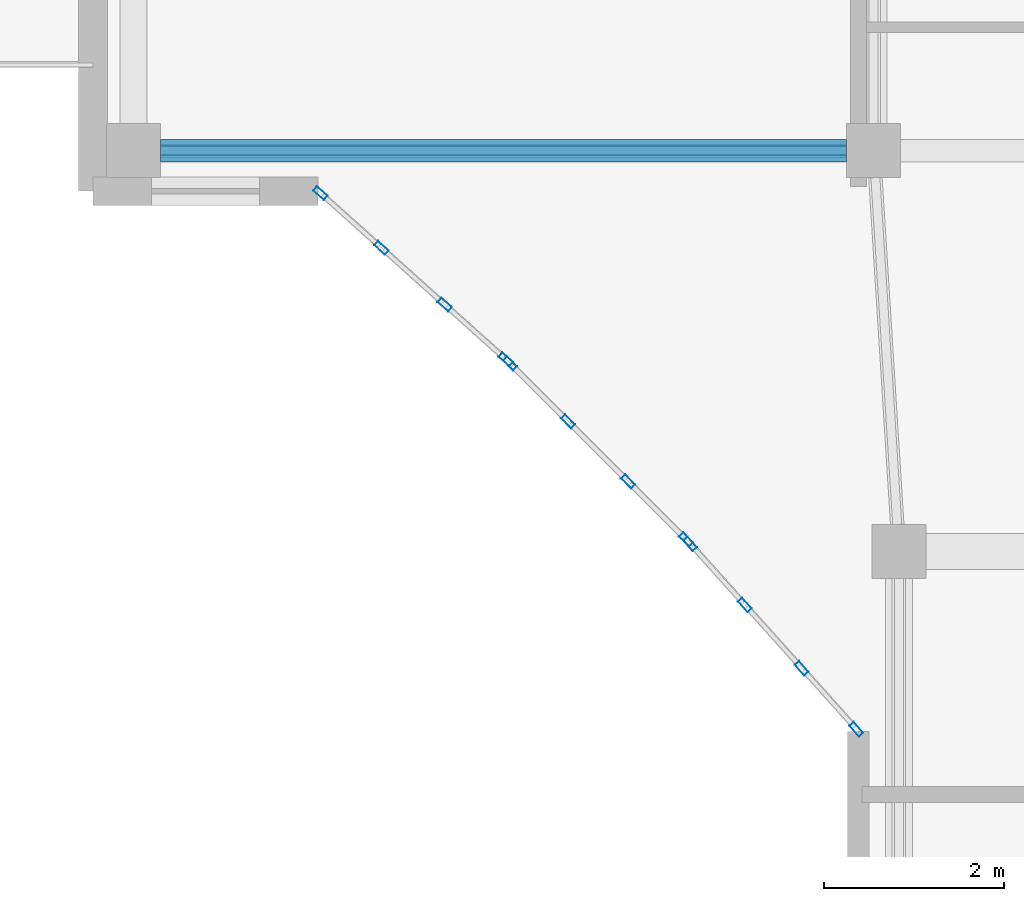
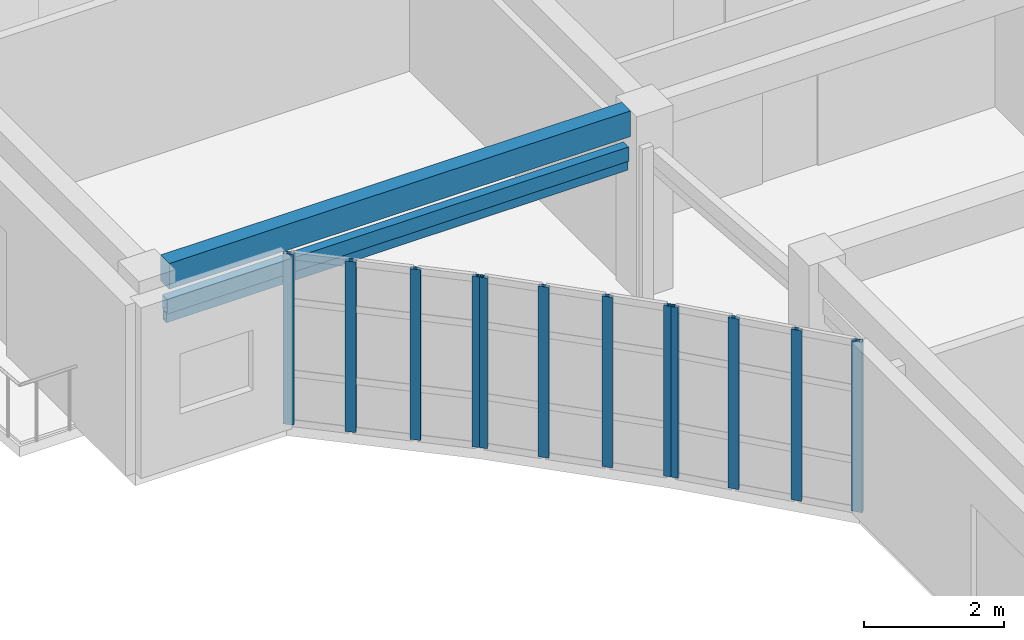
# One storey, part 5 of 76: 14 members, 1 beam, 3 elements without a shape of their own.
"""IFC4 building model written with IfcOpenShell, lengths in metres."""

from ifc_helpers import new_model, si_unit, direction, frame, origin, origin_2d, place, context, subcontext, project, spatial, rectangle, hollow_rectangle, extrude, material, layer, layer_set, material_profile, profile_set, type_object, element, aggregate, save


model = new_model("IFC4")

# Units and contexts
model_context = context("Model", 3, precision=1e-05, world=origin(), true_north=direction((0.0, 1.0)))
body_context = subcontext(model_context, "Body", "Model", "MODEL_VIEW")
ifc_project = project(units=[si_unit("LENGTHUNIT", "METRE"), si_unit("AREAUNIT", "SQUARE_METRE"), si_unit("VOLUMEUNIT", "CUBIC_METRE"), si_unit("PLANEANGLEUNIT", "RADIAN"), si_unit("MASSUNIT", "GRAM", prefix="KILO")], contexts=[model_context])

# Site, building, storey
site_placement = place(None, origin())
site = spatial("IfcSite", under=ifc_project, at=site_placement, CompositionType="ELEMENT")
building_placement = place(site_placement, origin())
building = spatial("IfcBuilding", under=site, at=building_placement, Name="Keldmere Railside Commons", CompositionType="ELEMENT")
storey_placement = place(building_placement, frame((0.0, 0.0, 13.760009765625)))
storey = spatial("IfcBuildingStorey", under=building, at=storey_placement, Name="L04", CompositionType="ELEMENT", Elevation=13.760009765625)

# Member
ifc_material_1 = material(Name="Steel F-36 (S355)", Category="steel")
ifc_material_profile_1 = material_profile(ifc_material_1, hollow_rectangle(XDim=0.14990234375, YDim=0.25, WallThickness=0.010009765625, at=origin_2d()), Name="RHS-250x150x10")
ifc_profile_set_1 = profile_set([ifc_material_profile_1], Name="Steel F-36 (S355)")
member_type_1 = type_object("IfcMemberType", Name="Balcony Continuous Planted Trough RHS250x150", PredefinedType="CHORD", material=ifc_profile_set_1)
member_1_placement = place(storey_placement, frame((40.25, 100.449951171875, 2.4150390625), z_axis=(1.0, 0.0, 0.0), x_axis=(0.0, 1.0, 0.0)))
element("IfcMember", 1, at=member_1_placement, inside=storey, type_object=member_type_1, Name="PLT-1 MEM-BPLT-0483", PredefinedType="CHORD", context=body_context, shape_type="SweptSolid", body=[
    extrude(hollow_rectangle(XDim=0.14990234375, YDim=0.25, WallThickness=0.010009765625, at=origin_2d()), origin(), (0.0, 0.0, 1.0), 7.6201171875),
])

# Beam
ifc_material_2 = material(Name="Architectural Precast Concrete H-35 (C35/45)", Category="concrete")
ifc_material_profile_2 = material_profile(ifc_material_2, rectangle(XDim=0.25, YDim=0.449951171875, at=origin_2d()), Name="RC-250x450")
ifc_profile_set_2 = profile_set([ifc_material_profile_2], Name="Architectural Precast Concrete H-35 (C35/45)")
beam_type = type_object("IfcBeamType", Name="Perimeter Precast Spandrel Beam 250x450", PredefinedType="SPANDREL", material=ifc_profile_set_2)
beam_placement = place(storey_placement, frame((40.25, 100.449951171875, 2.97509765625), z_axis=(1.0, 0.0, 0.0), x_axis=(0.0, 1.0, 0.0)))
element("IfcBeam", 2, at=beam_placement, inside=storey, type_object=beam_type, Name="SPB-1 BM-L04-1555", PredefinedType="SPANDREL", context=body_context, shape_type="SweptSolid", body=[
    extrude(rectangle(XDim=0.25, YDim=0.449951171875, at=origin_2d()), origin(), (0.0, 0.0, 1.0), 7.6201171875),
])

# Member
ifc_material_profile_3 = material_profile(ifc_material_1, hollow_rectangle(XDim=0.10009765625, YDim=0.159912109375, WallThickness=0.008056640625, at=origin_2d()), Name="RHS-160x100x8")
ifc_profile_set_3 = profile_set([ifc_material_profile_3], Name="Steel F-36 (S355)")
member_type_2 = type_object("IfcMemberType", Name="Solar Brise-Soleil Louvre Fin RHS160x100", PredefinedType="STRUT", material=ifc_profile_set_3)
member_2_placement = place(storey_placement, frame((40.25, 100.449951171875, 2.199951171875), z_axis=(1.0, 0.0, 0.0), x_axis=(0.0, 1.0, 0.0)))
element("IfcMember", 3, at=member_2_placement, inside=storey, type_object=member_type_2, Name="BSF-1 MEM-BSF-0484", PredefinedType="STRUT", context=body_context, shape_type="SweptSolid", body=[
    extrude(hollow_rectangle(XDim=0.10009765625, YDim=0.159912109375, WallThickness=0.008056640625, at=origin_2d()), origin(), (0.0, 0.0, 1.0), 7.6201171875),
])

# Curtain wall, members
ifc_material_3 = material(Name="Thermally Broken Aluminium", Category="aluminium")
ifc_layer_1 = layer(ifc_material_3, 0.159912109375, Name="Court Chord Wintergarden CW 4800x2850")
ifc_layer_set_1 = layer_set([ifc_layer_1], Name="Thermally Broken Aluminium")
curtain_wall_type_1 = type_object("IfcCurtainWallType", Name="Court Chord Wintergarden CW 4800x2850", PredefinedType="NOTDEFINED", material=ifc_layer_set_1)
curtain_wall_1_placement = place(storey_placement, origin())
curtain_wall_1 = element("IfcCurtainWall", 4, at=curtain_wall_1_placement, inside=storey, type_object=curtain_wall_type_1, Name="CW-12 CW-L04-052", PredefinedType="NOTDEFINED")
ifc_material_profile_4 = material_profile(ifc_material_3, hollow_rectangle(XDim=0.06494140625, YDim=0.159912109375, WallThickness=0.00390625, at=origin_2d()), Name="ALU-MULL-65x160")
ifc_profile_set_4 = profile_set([ifc_material_profile_4], Name="Thermally Broken Aluminium")
member_type_3 = type_object("IfcMemberType", Name="Unitised Curtain Wall Mullion 65x160", PredefinedType="MULLION", material=ifc_profile_set_4)
member_3_placement = place(storey_placement, frame((44.083740234375, 98.131591796875, 0.0), z_axis=(0.0, 0.0, 1.0), x_axis=(-0.667558519879, -0.744557333277, 0.0)))
member_3 = element("IfcMember", 5, at=member_3_placement, type_object=member_type_3, Name="CW-12 mullion 1", PredefinedType="MULLION", context=body_context, shape_type="SweptSolid", body=[
    extrude(hollow_rectangle(XDim=0.06494140625, YDim=0.159912109375, WallThickness=0.00390625, at=origin_2d()), origin(), (0.0, 0.0, 1.0), 2.97998046875),
])
member_4_placement = place(storey_placement, frame((43.4052734375, 98.739990234375, 0.0), z_axis=(0.0, 0.0, 1.0), x_axis=(-0.667558519879, -0.744557333277, 0.0)))
member_4 = element("IfcMember", 6, at=member_4_placement, type_object=member_type_3, Name="CW-12 mullion 2", PredefinedType="MULLION", context=body_context, shape_type="SweptSolid", body=[
    extrude(hollow_rectangle(XDim=0.06494140625, YDim=0.159912109375, WallThickness=0.00390625, at=origin_2d()), origin(), (0.0, 0.0, 1.0), 2.97998046875),
])
member_5_placement = place(storey_placement, frame((42.70263671875, 99.3701171875, 0.0), z_axis=(0.0, 0.0, 1.0), x_axis=(-0.667558519879, -0.744557333277, 0.0)))
member_5 = element("IfcMember", 7, at=member_5_placement, type_object=member_type_3, Name="CW-12 mullion 3", PredefinedType="MULLION", context=body_context, shape_type="SweptSolid", body=[
    extrude(hollow_rectangle(XDim=0.06494140625, YDim=0.159912109375, WallThickness=0.00390625, at=origin_2d()), origin(), (0.0, 0.0, 1.0), 2.97998046875),
])
member_6_placement = place(storey_placement, frame((42.024169921875, 99.978271484375, 0.0), z_axis=(0.0, 0.0, 1.0), x_axis=(-0.667558519879, -0.744557333277, 0.0)))
member_6 = element("IfcMember", 8, at=member_6_placement, type_object=member_type_3, Name="CW-12 mullion 4", PredefinedType="MULLION", context=body_context, shape_type="SweptSolid", body=[
    extrude(hollow_rectangle(XDim=0.06494140625, YDim=0.159912109375, WallThickness=0.00390625, at=origin_2d()), origin(), (0.0, 0.0, 1.0), 2.97998046875),
])
aggregate(curtain_wall_1, [member_3, member_4, member_5, member_6])

ifc_layer_2 = layer(ifc_material_3, 0.159912109375, Name="Court Chord Wintergarden CW 5400x2850")
ifc_layer_set_2 = layer_set([ifc_layer_2], Name="Thermally Broken Aluminium")
curtain_wall_type_2 = type_object("IfcCurtainWallType", Name="Court Chord Wintergarden CW 5400x2850", PredefinedType="NOTDEFINED", material=ifc_layer_set_2)
curtain_wall_2_placement = place(storey_placement, origin())
curtain_wall_2 = element("IfcCurtainWall", 9, at=curtain_wall_2_placement, inside=storey, type_object=curtain_wall_type_2, Name="CW-13 CW-L04-053", PredefinedType="NOTDEFINED")
member_7_placement = place(storey_placement, frame((46.0869140625, 96.130859375, 0.0), z_axis=(0.0, 0.0, 1.0), x_axis=(-0.707106781187, -0.707106781187, 0.0)))
member_7 = element("IfcMember", 10, at=member_7_placement, type_object=member_type_3, Name="CW-13 mullion 1", PredefinedType="MULLION", context=body_context, shape_type="SweptSolid", body=[
    extrude(hollow_rectangle(XDim=0.06494140625, YDim=0.159912109375, WallThickness=0.00390625, at=origin_2d()), origin(), (0.0, 0.0, 1.0), 2.97998046875),
])
member_8_placement = place(storey_placement, frame((45.442626953125, 96.775390625, 0.0), z_axis=(0.0, 0.0, 1.0), x_axis=(-0.707106781187, -0.707106781187, 0.0)))
member_8 = element("IfcMember", 11, at=member_8_placement, type_object=member_type_3, Name="CW-13 mullion 2", PredefinedType="MULLION", context=body_context, shape_type="SweptSolid", body=[
    extrude(hollow_rectangle(XDim=0.06494140625, YDim=0.159912109375, WallThickness=0.00390625, at=origin_2d()), origin(), (0.0, 0.0, 1.0), 2.97998046875),
])
member_9_placement = place(storey_placement, frame((44.775390625, 97.442626953125, 0.0), z_axis=(0.0, 0.0, 1.0), x_axis=(-0.707106781187, -0.707106781187, 0.0)))
member_9 = element("IfcMember", 12, at=member_9_placement, type_object=member_type_3, Name="CW-13 mullion 3", PredefinedType="MULLION", context=body_context, shape_type="SweptSolid", body=[
    extrude(hollow_rectangle(XDim=0.06494140625, YDim=0.159912109375, WallThickness=0.00390625, at=origin_2d()), origin(), (0.0, 0.0, 1.0), 2.97998046875),
])
member_10_placement = place(storey_placement, frame((44.130859375, 98.0869140625, 0.0), z_axis=(0.0, 0.0, 1.0), x_axis=(-0.707106781187, -0.707106781187, 0.0)))
member_10 = element("IfcMember", 13, at=member_10_placement, type_object=member_type_3, Name="CW-13 mullion 4", PredefinedType="MULLION", context=body_context, shape_type="SweptSolid", body=[
    extrude(hollow_rectangle(XDim=0.06494140625, YDim=0.159912109375, WallThickness=0.00390625, at=origin_2d()), origin(), (0.0, 0.0, 1.0), 2.97998046875),
])
aggregate(curtain_wall_2, [member_7, member_8, member_9, member_10])

curtain_wall_3_placement = place(storey_placement, origin())
curtain_wall_3 = element("IfcCurtainWall", 14, at=curtain_wall_3_placement, inside=storey, type_object=curtain_wall_type_1, Name="CW-12 CW-L04-054", PredefinedType="NOTDEFINED")
member_11_placement = place(storey_placement, frame((47.978271484375, 94.024169921875, 0.0), z_axis=(0.0, 0.0, 1.0), x_axis=(-0.744557333277, -0.667558519879, 0.0)))
member_11 = element("IfcMember", 15, at=member_11_placement, type_object=member_type_3, Name="CW-12 mullion 1", PredefinedType="MULLION", context=body_context, shape_type="SweptSolid", body=[
    extrude(hollow_rectangle(XDim=0.06494140625, YDim=0.159912109375, WallThickness=0.00390625, at=origin_2d()), origin(), (0.0, 0.0, 1.0), 2.97998046875),
])
member_12_placement = place(storey_placement, frame((47.3701171875, 94.70263671875, 0.0), z_axis=(0.0, 0.0, 1.0), x_axis=(-0.744557333277, -0.667558519879, 0.0)))
member_12 = element("IfcMember", 16, at=member_12_placement, type_object=member_type_3, Name="CW-12 mullion 2", PredefinedType="MULLION", context=body_context, shape_type="SweptSolid", body=[
    extrude(hollow_rectangle(XDim=0.06494140625, YDim=0.159912109375, WallThickness=0.00390625, at=origin_2d()), origin(), (0.0, 0.0, 1.0), 2.97998046875),
])
member_13_placement = place(storey_placement, frame((46.739990234375, 95.4052734375, 0.0), z_axis=(0.0, 0.0, 1.0), x_axis=(-0.744557333277, -0.667558519879, 0.0)))
member_13 = element("IfcMember", 17, at=member_13_placement, type_object=member_type_3, Name="CW-12 mullion 3", PredefinedType="MULLION", context=body_context, shape_type="SweptSolid", body=[
    extrude(hollow_rectangle(XDim=0.06494140625, YDim=0.159912109375, WallThickness=0.00390625, at=origin_2d()), origin(), (0.0, 0.0, 1.0), 2.97998046875),
])
member_14_placement = place(storey_placement, frame((46.131591796875, 96.083740234375, 0.0), z_axis=(0.0, 0.0, 1.0), x_axis=(-0.744557333277, -0.667558519879, 0.0)))
member_14 = element("IfcMember", 18, at=member_14_placement, type_object=member_type_3, Name="CW-12 mullion 4", PredefinedType="MULLION", context=body_context, shape_type="SweptSolid", body=[
    extrude(hollow_rectangle(XDim=0.06494140625, YDim=0.159912109375, WallThickness=0.00390625, at=origin_2d()), origin(), (0.0, 0.0, 1.0), 2.97998046875),
])
aggregate(curtain_wall_3, [member_11, member_12, member_13, member_14])

save(model, "model.ifc")
